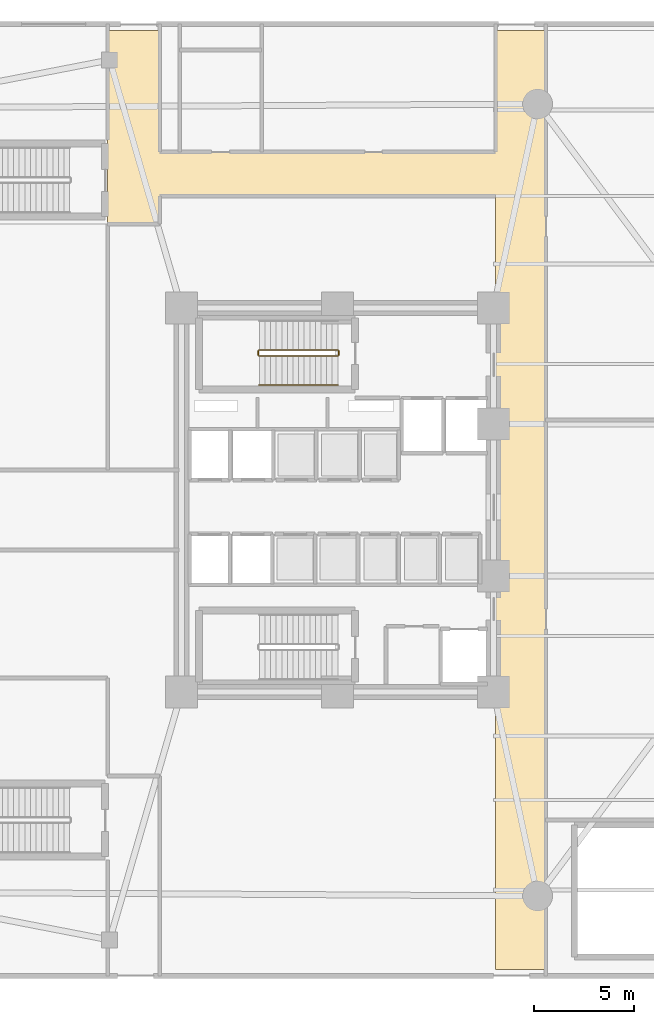
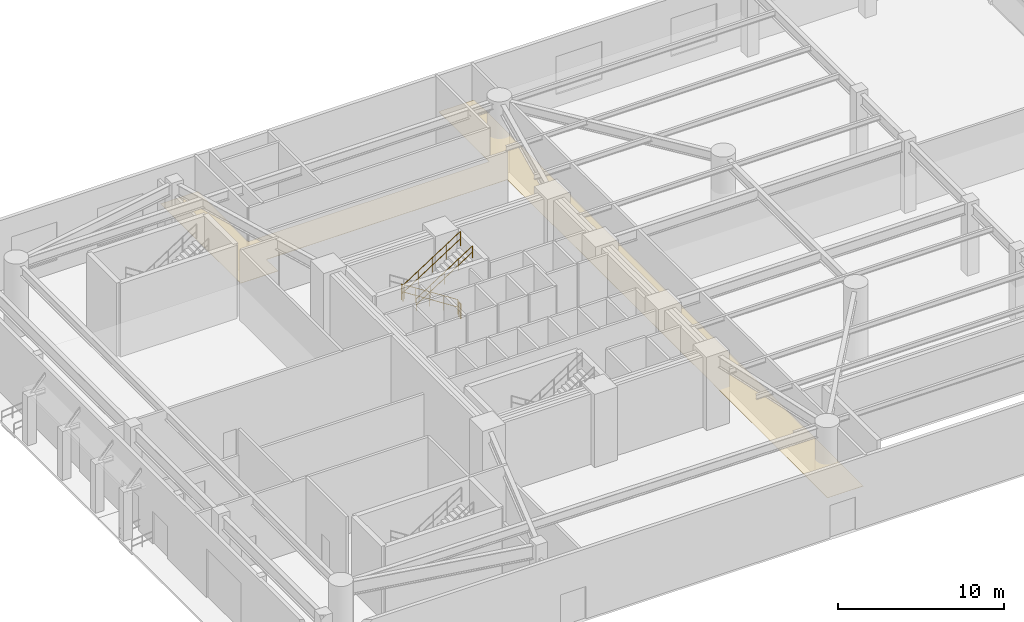
# One storey, part 12 of 16: 5 railings, 1 covering.
"""IFC4 building model written with IfcOpenShell, lengths in metres."""

import ifcopenshell
import ifcopenshell.guid

model = None  # the IFC model being written
_history = None  # IfcOwnerHistory: only IFC2X3 demands one
_inside = {}  # id of a spatial element -> (the spatial element, [elements in it])
_under = {}  # id of a project, library or spatial element -> (it, [spatial elements below it])
_declared = {}  # id of a project -> (the project, [libraries it declares])
_typed = {}  # id of a type object -> (the type object, [elements of that type])
_made_of = {}  # id of a material, layer set ... -> (it, [elements and type objects made of it])


def new_model(schema):
    """Start an empty IFC model of exactly this schema.

    Asked for "IFC4X3", IfcOpenShell would pick the latest addendum, in which some entities
    have other attributes; the version numbers below select the first issue.
    IFC2X3 requires an IfcOwnerHistory on every rooted entity: one is made here for all.
    """
    global model, _history
    if schema == "IFC4X3":
        model = ifcopenshell.file(schema_version=(4, 3, 0, 0))
    else:
        model = ifcopenshell.file(schema=schema)
    _inside.clear()
    _under.clear()
    _declared.clear()
    _typed.clear()
    _made_of.clear()
    _history = None
    if model.schema == "IFC2X3":
        org = make("IfcOrganization", Name="unknown")
        user = make(
            "IfcPersonAndOrganization",
            ThePerson=make("IfcPerson", FamilyName="unknown"),
            TheOrganization=org,
        )
        app = make(
            "IfcApplication",
            ApplicationDeveloper=org,
            Version="unknown",
            ApplicationFullName="unknown",
            ApplicationIdentifier="unknown",
        )
        _history = make(
            "IfcOwnerHistory",
            OwningUser=user,
            OwningApplication=app,
            ChangeAction="ADDED",
            CreationDate=0,
        )
    return model


def make(cls, **values):
    """One entity of the class cls with the attributes given. An attribute that is None is left unset."""
    return model.create_entity(
        cls, **{name: value for name, value in values.items() if value is not None}
    )


def rooted(cls, **values):
    """An entity with a GlobalId (a new one), such as an element, a storey or a relation."""
    return make(cls, GlobalId=ifcopenshell.guid.new(), OwnerHistory=_history, **values)


def si_unit(unit_type, name, prefix=None):
    """IfcSIUnit, for example si_unit("LENGTHUNIT", "METRE", prefix="MILLI")."""
    return make("IfcSIUnit", UnitType=unit_type, Prefix=prefix, Name=name)


def assignment(units):
    """IfcUnitAssignment: the units of a project."""
    return None if units is None else make("IfcUnitAssignment", Units=units)


def point(xyz):
    """IfcCartesianPoint."""
    return None if xyz is None else make("IfcCartesianPoint", Coordinates=xyz)


def direction(xyz):
    """IfcDirection."""
    return None if xyz is None else make("IfcDirection", DirectionRatios=xyz)


def frame(location, z_axis=None, x_axis=None):
    """IfcAxis2Placement3D, a coordinate frame: its origin and axes. An axis left out is left unset."""
    return make(
        "IfcAxis2Placement3D",
        Location=point(location),
        Axis=direction(z_axis),
        RefDirection=direction(x_axis),
    )


def frame_2d(location, x_axis=None):
    """IfcAxis2Placement2D, a coordinate frame in the plane: its origin and x axis."""
    return make(
        "IfcAxis2Placement2D", Location=point(location), RefDirection=direction(x_axis)
    )


def origin():
    """The frame at (0, 0, 0) with its axes left unset."""
    return frame((0.0, 0.0, 0.0))


def origin_2d():
    """The frame at (0, 0) in the plane with its x axis left unset."""
    return frame_2d((0.0, 0.0))


def place(relative_to, where):
    """IfcLocalPlacement: puts the frame where relative to a parent placement (None: the world)."""
    return make(
        "IfcLocalPlacement", PlacementRelTo=relative_to, RelativePlacement=where
    )


def context(
    kind, dimensions, precision=None, world=None, true_north=None, identifier=None
):
    """IfcGeometricRepresentationContext, for example the 3D "Model" context."""
    return make(
        "IfcGeometricRepresentationContext",
        ContextIdentifier=identifier,
        ContextType=kind,
        CoordinateSpaceDimension=dimensions,
        Precision=precision,
        WorldCoordinateSystem=world,
        TrueNorth=true_north,
    )


def subcontext(parent, identifier, kind, view, scale=None):
    """IfcGeometricRepresentationSubContext, for example "Body" below "Model"."""
    return make(
        "IfcGeometricRepresentationSubContext",
        ContextIdentifier=identifier,
        ContextType=kind,
        ParentContext=parent,
        TargetScale=scale,
        TargetView=view,
    )


def project(units=None, contexts=None):
    """IfcProject with its units and contexts."""
    return rooted(
        "IfcProject",
        Name="project",
        RepresentationContexts=contexts,
        UnitsInContext=assignment(units),
    )


def spatial(cls, under=None, at=None, **own):
    """A site, building, storey or space (cls), placed at a placement, below another one or the project."""
    s = rooted(cls, ObjectPlacement=at, **own)
    if under is not None:
        _under.setdefault(under.id(), (under, []))[1].append(s)
    return s


def polyline(points):
    """IfcPolyline through the points."""
    return make("IfcPolyline", Points=[point(p) for p in points])


def profile(cls, at=None, kind="AREA", **sizes):
    """A parametric profile (cls). Its sizes go by their IFC names, for example OverallWidth=200.0."""
    return make(cls, ProfileType=kind, Position=at, **sizes)


def circle(**sizes):
    """IfcCircleProfileDef."""
    return profile("IfcCircleProfileDef", **sizes)


def outline(outer, holes=None, kind="AREA"):
    """IfcArbitraryClosedProfileDef: a profile drawn as a closed curve; with holes, ...WithVoids."""
    if holes is None:
        return make("IfcArbitraryClosedProfileDef", ProfileType=kind, OuterCurve=outer)
    return make(
        "IfcArbitraryProfileDefWithVoids",
        ProfileType=kind,
        OuterCurve=outer,
        InnerCurves=holes,
    )


def extrude(swept, where, along, depth):
    """IfcExtrudedAreaSolid: the profile swept, set in the frame where, extruded along a direction by depth."""
    return make(
        "IfcExtrudedAreaSolid",
        SweptArea=swept,
        Position=where,
        ExtrudedDirection=direction(along),
        Depth=depth,
    )


def shape(context_of_items, identifier, shape_type, items):
    """IfcShapeRepresentation: the items that make up one representation, for example the "Body"."""
    return make(
        "IfcShapeRepresentation",
        ContextOfItems=context_of_items,
        RepresentationIdentifier=identifier,
        RepresentationType=shape_type,
        Items=items,
    )


def material(Name=None, Category=None):
    """IfcMaterial."""
    return make("IfcMaterial", Name=Name, Category=Category)


def layer(
    of_material, thickness, ventilated=None, Name=None, Category=None, Priority=None
):
    """IfcMaterialLayer: one layer of a wall or slab, of a material (None: an air gap)."""
    return make(
        "IfcMaterialLayer",
        Material=of_material,
        LayerThickness=thickness,
        IsVentilated=ventilated,
        Name=Name,
        Category=Category,
        Priority=Priority,
    )


def layer_set(layers, Name=None):
    """IfcMaterialLayerSet."""
    return make("IfcMaterialLayerSet", MaterialLayers=layers, LayerSetName=Name)


def made_of(thing, what):
    """Note that an element or type object is made of a material, layer set ...; save() writes the relation."""
    if what is not None:
        _made_of.setdefault(what.id(), (what, []))[1].append(thing)
    return thing


def type_object(cls, material=None, **own):
    """A type object (cls), such as IfcWallType, which elements share."""
    return made_of(rooted(cls, **own), material)


def element(
    cls,
    number,
    at=None,
    inside=None,
    cuts=None,
    type_object=None,
    material=None,
    context=None,
    identifier="Body",
    shape_type=None,
    held_by="IfcProductDefinitionShape",
    body=None,
    shapes=None,
    **own,
):
    """One element of the class cls, such as IfcWall. Its Tag is "e" and its number.

    at: its placement. inside: the storey or other place that contains it. cuts: it is an
    opening in that element (IfcRelVoidsElement). A single representation is given by context,
    identifier, shape_type and body (its items); several are given by shapes. held_by: the class
    of the entity that holds the representations. save() writes the other relations.
    """
    e = rooted(cls, Tag="e%d" % number, ObjectPlacement=at, **own)
    if body is not None:
        shapes = [shape(context, identifier, shape_type, body)]
    if shapes is not None:
        e.Representation = make(held_by, Representations=shapes)
    if inside is not None:
        _inside.setdefault(inside.id(), (inside, []))[1].append(e)
    if cuts is not None:
        rooted(
            "IfcRelVoidsElement", RelatingBuildingElement=cuts, RelatedOpeningElement=e
        )
    if type_object is not None:
        _typed.setdefault(type_object.id(), (type_object, []))[1].append(e)
    return made_of(e, material)


def aggregate(whole, parts):
    """IfcRelAggregates: a whole, such as a stair, and the parts it consists of."""
    return rooted("IfcRelAggregates", RelatingObject=whole, RelatedObjects=parts)


def save(model, path):
    """Write the relations noted so far, then the file.

    IfcRelAggregates (storeys below a building ...), IfcRelContainedInSpatialStructure (elements
    in a storey), IfcRelDefinesByType, IfcRelAssociatesMaterial and IfcRelDeclares: one each for
    every whole, place, type object, material and project.
    """
    for whole, parts in _under.values():
        aggregate(whole, parts)
    for where, things in _inside.values():
        rooted(
            "IfcRelContainedInSpatialStructure",
            RelatedElements=things,
            RelatingStructure=where,
        )
    for kind, things in _typed.values():
        rooted("IfcRelDefinesByType", RelatedObjects=things, RelatingType=kind)
    for what, things in _made_of.values():
        rooted("IfcRelAssociatesMaterial", RelatedObjects=things, RelatingMaterial=what)
    for by, libraries in _declared.values():
        rooted("IfcRelDeclares", RelatingContext=by, RelatedDefinitions=libraries)
    model.write(path)


model = new_model("IFC4")

# Units and contexts
model_context = context("Model", 3, precision=1e-05, world=origin(), true_north=direction((0.0, 1.0)))
body_context = subcontext(model_context, "Body", "Model", "MODEL_VIEW")
ifc_project = project(units=[si_unit("LENGTHUNIT", "METRE"), si_unit("AREAUNIT", "SQUARE_METRE"), si_unit("VOLUMEUNIT", "CUBIC_METRE"), si_unit("PLANEANGLEUNIT", "RADIAN"), si_unit("MASSUNIT", "GRAM", prefix="KILO")], contexts=[model_context])

# Site, building, storey
site_placement = place(None, origin())
site = spatial("IfcSite", under=ifc_project, at=site_placement, CompositionType="ELEMENT")
building_placement = place(site_placement, origin())
building = spatial("IfcBuilding", under=site, at=building_placement, Name="An Khanh Terracotta Commons", CompositionType="ELEMENT")
storey_placement = place(building_placement, origin())
storey = spatial("IfcBuildingStorey", under=building, at=storey_placement, Name="L01", CompositionType="ELEMENT", Elevation=0.0)

# Covering
ifc_material_1 = material(Name="Perforated Mineral-Fibre Acoustic Tile")
ifc_layer = layer(ifc_material_1, 0.02001953125, Name="Perforated Mineral-Fibre Acoustic Tile")
ifc_layer_set = layer_set([ifc_layer], Name="Perforated Mineral-Fibre Acoustic Tile")
covering_type = type_object("IfcCoveringType", Name="CEIL-ACOUSTIC-18", PredefinedType="CEILING", material=ifc_layer_set)
covering_placement = place(storey_placement, frame((0.0, 0.0, 2.64990234375)))
element("IfcCovering", 1, at=covering_placement, inside=storey, type_object=covering_type, Name="L01 Entrance Concourse Ceiling", PredefinedType="CEILING", context=body_context, shape_type="SweptSolid", body=[
    extrude(outline(polyline([(37.300048828125, 39.199951171875), (20.5, 39.199951171875), (20.5, 37.800048828125), (17.89990234375, 37.800048828125), (17.89990234375, 47.47998046875), (20.5, 47.47998046875), (20.5, 41.39990234375), (37.300048828125, 41.39990234375), (37.300048828125, 47.47998046875), (39.800048828125, 47.47998046875), (39.800048828125, 41.39990234375), (39.800048828125, 39.199951171875), (39.800048828125, 25.5), (39.800048828125, 21.5), (39.800048828125, 0.52001953125), (37.300048828125, 0.52001953125), (37.300048828125, 14.280029296875), (37.320068359375, 14.280029296875), (37.320068359375, 33.719970703125), (37.300048828125, 33.719970703125), (37.300048828125, 39.199951171875)])), origin(), (0.0, 0.0, 1.0), 0.02001953125),
])

# Railings
ifc_material_2 = material(Name="Brushed Stainless Steel 316", Category="steel")
railing_type_1 = type_object("IfcRailingType", Name="RAIL-HANDRAIL-900", PredefinedType="HANDRAIL", material=ifc_material_2)
railing_1_placement = place(storey_placement, frame((25.489990234375, 29.75, 2.8798828125)))
element("IfcRailing", 2, at=railing_1_placement, inside=storey, type_object=railing_type_1, Name="L01 ST-01 stair handrail 2", PredefinedType="HANDRAIL", context=body_context, shape_type="SweptSolid", body=[
    extrude(circle(Radius=0.02392578125, at=origin_2d()), frame((0.0, 0.0, 0.8759765625), z_axis=(0.841171666519, 0.0, 0.540768182723), x_axis=(0.0, 1.0, 0.0)), (0.0, 0.0, 1.0), 4.66015625),
    extrude(circle(Radius=0.02392578125, at=origin_2d()), frame((0.0, 0.0, 0.42578125), z_axis=(0.841171666519, 0.0, 0.540768182723), x_axis=(0.0, 1.0, 0.0)), (0.0, 0.0, 1.0), 4.66015625),
    extrude(circle(Radius=0.02099609375, at=origin_2d()), origin(), (0.0, 0.0, 1.0), 0.851806640625),
    extrude(circle(Radius=0.02099609375, at=origin_2d()), frame((0.97998046875, 0.0, 0.6298828125)), (0.0, 0.0, 1.0), 0.851806640625),
    extrude(circle(Radius=0.02099609375, at=origin_2d()), frame((1.9599609375, 0.0, 1.260009765625)), (0.0, 0.0, 1.0), 0.851806640625),
    extrude(circle(Radius=0.02099609375, at=origin_2d()), frame((2.93994140625, 0.0, 1.89013671875)), (0.0, 0.0, 1.0), 0.851806640625),
    extrude(circle(Radius=0.02099609375, at=origin_2d()), frame((3.919921875, 0.0, 2.52001953125)), (0.0, 0.0, 1.0), 0.851806640625),
])
ifc_material_3 = material(Name="Powder-Coated Steel S355J2", Category="steel")
railing_type_2 = type_object("IfcRailingType", Name="RAIL-STAIR-GUARD-1100", PredefinedType="BALUSTRADE", material=ifc_material_3)
railing_2_placement = place(storey_placement, frame((29.409912109375, 31.5, 0.179931640625)))
element("IfcRailing", 3, at=railing_2_placement, inside=storey, type_object=railing_type_2, Name="L01 ST-01 stair guard 1", PredefinedType="BALUSTRADE", context=body_context, shape_type="SweptSolid", body=[
    extrude(circle(Radius=0.02392578125, at=origin_2d()), frame((0.0, 0.0, 1.076171875), z_axis=(-0.841171666519, 0.0, 0.540768182723), x_axis=(0.0, -1.0, 0.0)), (0.0, 0.0, 1.0), 4.66015625),
    extrude(circle(Radius=0.02392578125, at=origin_2d()), frame((0.0, 0.0, 0.52587890625), z_axis=(-0.841171666519, 0.0, 0.540768182723), x_axis=(0.0, -1.0, 0.0)), (0.0, 0.0, 1.0), 4.66015625),
    extrude(circle(Radius=0.02099609375, at=origin_2d()), origin(), (0.0, 0.0, 1.0), 1.052001953125),
    extrude(circle(Radius=0.02099609375, at=origin_2d()), frame((-0.97998046875, 0.0, 0.6298828125)), (0.0, 0.0, 1.0), 1.052001953125),
    extrude(circle(Radius=0.02099609375, at=origin_2d()), frame((-1.9599609375, 0.0, 1.260009765625)), (0.0, 0.0, 1.0), 1.052001953125),
    extrude(circle(Radius=0.02099609375, at=origin_2d()), frame((-2.93994140625, 0.0, 1.89013671875)), (0.0, 0.0, 1.0), 1.052001953125),
    extrude(circle(Radius=0.02099609375, at=origin_2d()), frame((-3.919921875, 0.0, 2.52001953125)), (0.0, 0.0, 1.0), 1.052001953125),
])
railing_3_placement = place(storey_placement, frame((25.43994140625, 31.449951171875, 2.699951171875)))
element("IfcRailing", 4, at=railing_3_placement, inside=storey, type_object=railing_type_2, Name="L01 ST-01 stair guard 2", PredefinedType="BALUSTRADE", context=body_context, shape_type="SweptSolid", body=[
    extrude(circle(Radius=0.02392578125, at=origin_2d()), frame((0.0, 0.0, 1.076171875), z_axis=(0.0, -1.0, 0.0), x_axis=(1.0, 0.0, 0.0)), (0.0, 0.0, 1.0), 0.199951171875),
    extrude(circle(Radius=0.02392578125, at=origin_2d()), frame((0.0, 0.0, 0.52587890625), z_axis=(0.0, -1.0, 0.0), x_axis=(1.0, 0.0, 0.0)), (0.0, 0.0, 1.0), 0.199951171875),
    extrude(circle(Radius=0.02099609375, at=origin_2d()), origin(), (0.0, 0.0, 1.0), 1.052001953125),
    extrude(circle(Radius=0.02099609375, at=origin_2d()), frame((0.0, -0.199951171875, 0.0)), (0.0, 0.0, 1.0), 1.052001953125),
])
railing_4_placement = place(storey_placement, frame((25.489990234375, 31.199951171875, 2.8798828125)))
element("IfcRailing", 5, at=railing_4_placement, inside=storey, type_object=railing_type_2, Name="L01 ST-01 stair guard 3", PredefinedType="BALUSTRADE", context=body_context, shape_type="SweptSolid", body=[
    extrude(circle(Radius=0.02392578125, at=origin_2d()), frame((0.0, 0.0, 1.076171875), z_axis=(0.841171666519, 0.0, 0.540768182723), x_axis=(0.0, 1.0, 0.0)), (0.0, 0.0, 1.0), 4.66015625),
    extrude(circle(Radius=0.02392578125, at=origin_2d()), frame((0.0, 0.0, 0.52587890625), z_axis=(0.841171666519, 0.0, 0.540768182723), x_axis=(0.0, 1.0, 0.0)), (0.0, 0.0, 1.0), 4.66015625),
    extrude(circle(Radius=0.02099609375, at=origin_2d()), origin(), (0.0, 0.0, 1.0), 1.052001953125),
    extrude(circle(Radius=0.02099609375, at=origin_2d()), frame((0.97998046875, 0.0, 0.6298828125)), (0.0, 0.0, 1.0), 1.052001953125),
    extrude(circle(Radius=0.02099609375, at=origin_2d()), frame((1.9599609375, 0.0, 1.260009765625)), (0.0, 0.0, 1.0), 1.052001953125),
    extrude(circle(Radius=0.02099609375, at=origin_2d()), frame((2.93994140625, 0.0, 1.89013671875)), (0.0, 0.0, 1.0), 1.052001953125),
    extrude(circle(Radius=0.02099609375, at=origin_2d()), frame((3.919921875, 0.0, 2.52001953125)), (0.0, 0.0, 1.0), 1.052001953125),
])
railing_5_placement = place(storey_placement, frame((29.4599609375, 31.449951171875, 0.0)))
element("IfcRailing", 6, at=railing_5_placement, inside=storey, type_object=railing_type_2, Name="L01 ST-01 stair guard 4", PredefinedType="BALUSTRADE", context=body_context, shape_type="SweptSolid", body=[
    extrude(circle(Radius=0.02392578125, at=origin_2d()), frame((0.0, 0.0, 1.076171875), z_axis=(0.0, -1.0, 0.0), x_axis=(1.0, 0.0, 0.0)), (0.0, 0.0, 1.0), 0.199951171875),
    extrude(circle(Radius=0.02392578125, at=origin_2d()), frame((0.0, 0.0, 0.52587890625), z_axis=(0.0, -1.0, 0.0), x_axis=(1.0, 0.0, 0.0)), (0.0, 0.0, 1.0), 0.199951171875),
    extrude(circle(Radius=0.02099609375, at=origin_2d()), origin(), (0.0, 0.0, 1.0), 1.052001953125),
    extrude(circle(Radius=0.02099609375, at=origin_2d()), frame((0.0, -0.199951171875, 0.0)), (0.0, 0.0, 1.0), 1.052001953125),
])

save(model, "model.ifc")
